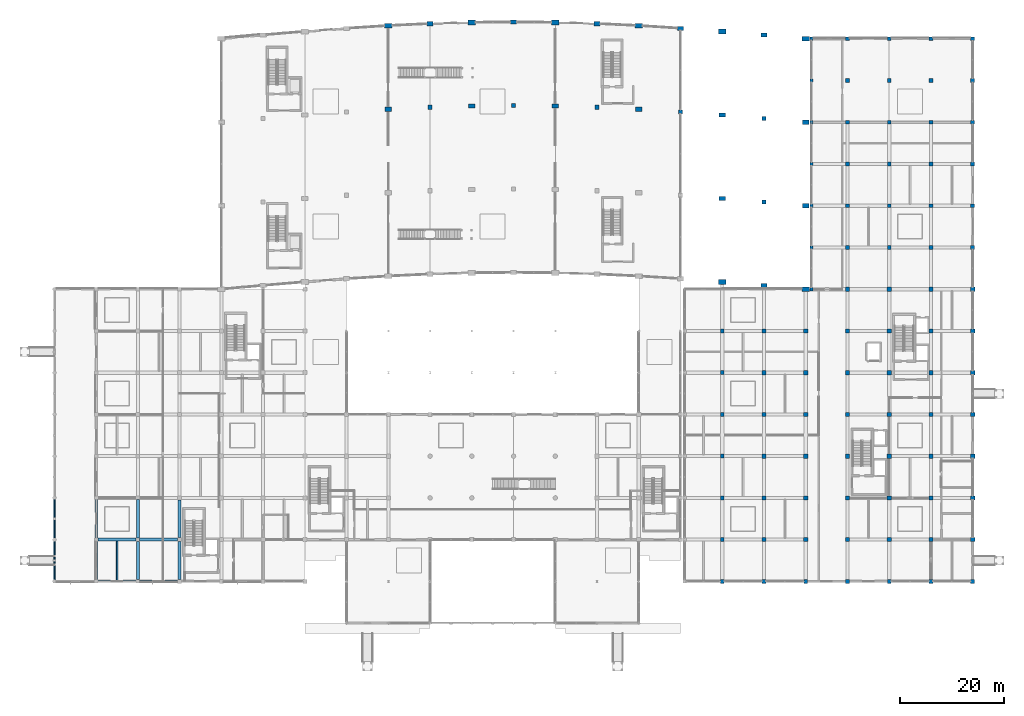
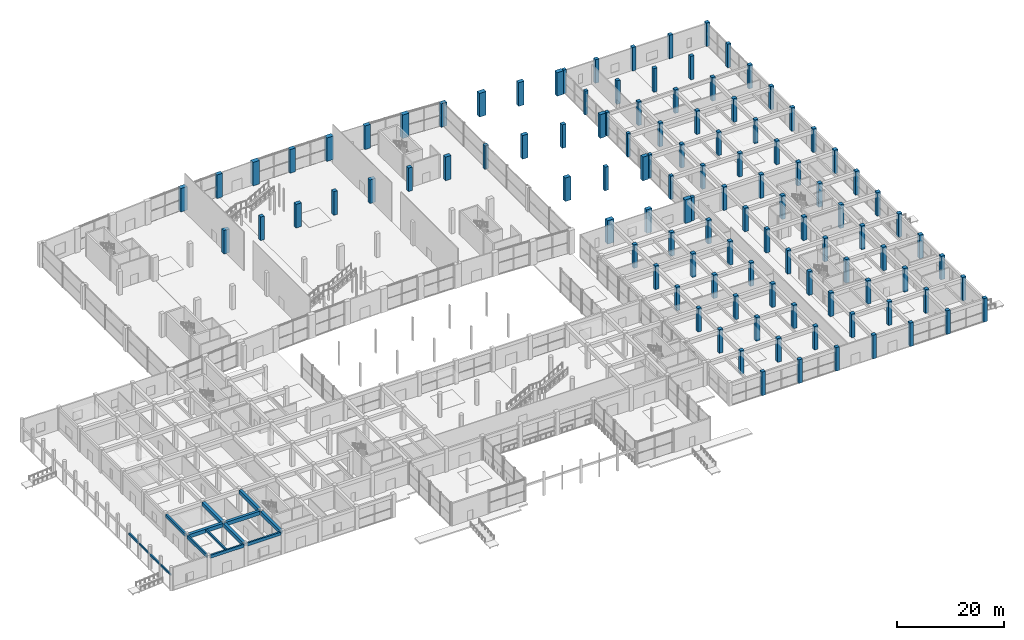
# One storey, part 14 of 86: 112 columns, 15 beams.
"""IFC4 building model written with IfcOpenShell, lengths in metres."""

from ifc_helpers import new_model, si_unit, direction, frame, origin, origin_2d, place, context, subcontext, project, spatial, rectangle, extrude, material, material_profile, profile_set, type_object, element, save


model = new_model("IFC4")

# Units and contexts
model_context = context("Model", 3, precision=1e-05, world=origin(), true_north=direction((0.0, 1.0)))
body_context = subcontext(model_context, "Body", "Model", "MODEL_VIEW")
ifc_project = project(units=[si_unit("LENGTHUNIT", "METRE"), si_unit("AREAUNIT", "SQUARE_METRE"), si_unit("VOLUMEUNIT", "CUBIC_METRE"), si_unit("PLANEANGLEUNIT", "RADIAN"), si_unit("MASSUNIT", "GRAM", prefix="KILO")], contexts=[model_context])

# Site, building, storey
site_placement = place(None, origin())
site = spatial("IfcSite", under=ifc_project, at=site_placement, CompositionType="ELEMENT")
building_placement = place(site_placement, origin())
building = spatial("IfcBuilding", under=site, at=building_placement, Name="Kenh Van Central Station", CompositionType="ELEMENT")
storey_placement = place(building_placement, origin())
storey = spatial("IfcBuildingStorey", under=building, at=storey_placement, Name="L00", CompositionType="ELEMENT", Elevation=0.0)

# Columns
ifc_material_1 = material(Name="Concrete C40/50", Category="concrete")
ifc_material_profile_1 = material_profile(ifc_material_1, rectangle(XDim=1.199951171875, YDim=0.800048828125, at=origin_2d()), Name="RC 1200x800")
ifc_profile_set_1 = profile_set([ifc_material_profile_1], Name="Concrete C40/50")
column_type_1 = type_object("IfcColumnType", Name="COL-PIER-1200x800", PredefinedType="COLUMN", material=ifc_profile_set_1)
for number, where, z_axis, x_axis, name in (
    (1, (64.0, 98.501953125, 0.0), (0.0, 0.0, 1.0), (1.0, 0.0, 0.0), "L00 column VP-04-2"),
    (2, (72.0, 114.883056640625, 0.0), (0.0, 0.0, 1.0), (1.0, 0.0, 0.0), "L00 column VPI-05-3"),
    (3, (80.0, 99.119873046875, 0.0), (0.0, 0.0, 1.0), (1.0, 0.0, 0.0), "L00 column VP-06-2"),
    (4, (88.0, 115.199951171875, 0.0), (0.0, 0.0, 1.0), (1.0, 0.0, 0.0), "L00 column VPI-07-3"),
    (5, (96.0, 99.119873046875, 0.0), (0.0, 0.0, 1.0), (1.0, 0.0, 0.0), "L00 column VP-08-2"),
    (6, (104.0, 114.883056640625, 0.0), (0.0, 0.0, 1.0), (1.0, 0.0, 0.0), "L00 column VPI-09-3"),
    (7, (112.0, 98.501953125, 0.0), (0.0, 0.0, 1.0), (1.0, 0.0, 0.0), "L00 column VP-10-2"),
    (8, (120.0, 113.9951171875, 0.0), (0.0, 0.0, 1.0), (1.0, 0.0, 0.0), "L00 column VPI-11-3"),
    (9, (128.0, 81.388427734375, 0.0), (0.0, 0.0, 1.0), (1.0, 0.0, 0.0), "L00 column VP-12-1"),
    (10, (128.0, 97.388427734375, 0.0), (0.0, 0.0, 1.0), (1.0, 0.0, 0.0), "L00 column VP-12-2"),
    (11, (136.0, 64.712158203125, 0.0), (0.0, 0.0, 1.0), (1.0, 0.0, 0.0), "L00 column VPI-13-0"),
    (12, (136.0, 112.712158203125, 0.0), (0.0, 0.0, 1.0), (1.0, 0.0, 0.0), "L00 column VPI-13-3"),
    (13, (144.0, 80.0, 0.0), (0.0, 0.0, 1.0), (1.0, 0.0, 0.0), "L00 column VP-14-1"),
    (14, (144.0, 96.0, 0.0), (0.0, 0.0, 1.0), (1.0, 0.0, 0.0), "L00 column VP-14-2"),
):
    element("IfcColumn", number, at=place(storey_placement, frame(where, z_axis=z_axis, x_axis=x_axis)), inside=storey, type_object=column_type_1, Name=name, PredefinedType="COLUMN", context=body_context, shape_type="SweptSolid", body=[
        extrude(rectangle(XDim=1.199951171875, YDim=0.800048828125, at=origin_2d()), origin(), (0.0, 0.0, 1.0), 5.39990234375),
    ])
ifc_material_profile_2 = material_profile(ifc_material_1, rectangle(XDim=1.39990234375, YDim=0.89990234375, at=origin_2d()), Name="RC 1400x900")
ifc_profile_set_2 = profile_set([ifc_material_profile_2], Name="Concrete C40/50")
column_type_2 = type_object("IfcColumnType", Name="COL-PIER-1400x900", PredefinedType="COLUMN", material=ifc_profile_set_2)
for number, where, z_axis, x_axis, name in (
    (15, (64.0, 114.501953125, 0.0), (0.0, 0.0, 1.0), (1.0, 0.0, 0.0), "L00 column VP-04-3"),
    (16, (80.0, 115.119873046875, 0.0), (0.0, 0.0, 1.0), (1.0, 0.0, 0.0), "L00 column VP-06-3"),
    (17, (96.0, 115.119873046875, 0.0), (0.0, 0.0, 1.0), (1.0, 0.0, 0.0), "L00 column VP-08-3"),
    (18, (112.0, 114.501953125, 0.0), (0.0, 0.0, 1.0), (1.0, 0.0, 0.0), "L00 column VP-10-3"),
    (19, (128.0, 65.388427734375, 0.0), (0.0, 0.0, 1.0), (1.0, 0.0, 0.0), "L00 column VP-12-0"),
    (20, (128.0, 113.388427734375, 0.0), (0.0, 0.0, 1.0), (1.0, 0.0, 0.0), "L00 column VP-12-3"),
    (21, (144.0, 64.0, 0.0), (0.0, 0.0, 1.0), (1.0, 0.0, 0.0), "L00 column VP-14-0"),
    (22, (144.0, 112.0, 0.0), (0.0, 0.0, 1.0), (1.0, 0.0, 0.0), "L00 column VP-14-3"),
):
    element("IfcColumn", number, at=place(storey_placement, frame(where, z_axis=z_axis, x_axis=x_axis)), inside=storey, type_object=column_type_2, Name=name, PredefinedType="COLUMN", context=body_context, shape_type="SweptSolid", body=[
        extrude(rectangle(XDim=1.39990234375, YDim=0.89990234375, at=origin_2d()), origin(), (0.0, 0.0, 1.0), 5.39990234375),
    ])
ifc_material_2 = material(Name="Concrete C35/45", Category="concrete")
ifc_material_profile_3 = material_profile(ifc_material_2, rectangle(XDim=0.64990234375, YDim=0.64990234375, at=origin_2d()), Name="RC 650x650")
ifc_profile_set_3 = profile_set([ifc_material_profile_3], Name="Concrete C35/45")
column_type_3 = type_object("IfcColumnType", Name="COL-RC-650x650", PredefinedType="COLUMN", material=ifc_profile_set_3)
for number, where, z_axis, x_axis, name in (
    (23, (145.10009765625, 64.0, 0.0), (0.0, 0.0, 1.0), (1.0, 0.0, 0.0), "L00 column CN-1451-064"),
    (24, (145.10009765625, 72.0, 0.0), (0.0, 0.0, 1.0), (1.0, 0.0, 0.0), "L00 column CN-1451-072"),
    (25, (145.10009765625, 80.0, 0.0), (0.0, 0.0, 1.0), (1.0, 0.0, 0.0), "L00 column CN-1451-080"),
    (26, (145.10009765625, 88.0, 0.0), (0.0, 0.0, 1.0), (1.0, 0.0, 0.0), "L00 column CN-1451-088"),
    (27, (145.10009765625, 96.0, 0.0), (0.0, 0.0, 1.0), (1.0, 0.0, 0.0), "L00 column CN-1451-096"),
    (28, (145.10009765625, 104.0, 0.0), (0.0, 0.0, 1.0), (1.0, 0.0, 0.0), "L00 column CN-1451-104"),
    (29, (145.10009765625, 112.0, 0.0), (0.0, 0.0, 1.0), (1.0, 0.0, 0.0), "L00 column CN-1451-112"),
):
    element("IfcColumn", number, at=place(storey_placement, frame(where, z_axis=z_axis, x_axis=x_axis)), inside=storey, type_object=column_type_3, Name=name, PredefinedType="COLUMN", context=body_context, shape_type="SweptSolid", body=[
        extrude(rectangle(XDim=0.64990234375, YDim=0.64990234375, at=origin_2d()), origin(), (0.0, 0.0, 1.0), 5.39990234375),
    ])
ifc_material_profile_4 = material_profile(ifc_material_1, rectangle(XDim=0.75, YDim=0.75, at=origin_2d()), Name="RC 750x750")
ifc_profile_set_4 = profile_set([ifc_material_profile_4], Name="Concrete C40/50")
column_type_4 = type_object("IfcColumnType", Name="COL-RC-750x750", PredefinedType="COLUMN", material=ifc_profile_set_4)
for number, where, z_axis, x_axis, name in (
    (30, (128.0, 8.0, 0.0), (0.0, 0.0, 1.0), (1.0, 0.0, 0.0), "L00 column CE-1280-008"),
    (31, (128.0, 16.0, 0.0), (0.0, 0.0, 1.0), (1.0, 0.0, 0.0), "L00 column CE-1280-016"),
    (32, (128.0, 24.0, 0.0), (0.0, 0.0, 1.0), (1.0, 0.0, 0.0), "L00 column CE-1280-024"),
    (33, (128.0, 32.0, 0.0), (0.0, 0.0, 1.0), (1.0, 0.0, 0.0), "L00 column CE-1280-032"),
    (34, (128.0, 40.0, 0.0), (0.0, 0.0, 1.0), (1.0, 0.0, 0.0), "L00 column CE-1280-040"),
    (35, (128.0, 48.0, 0.0), (0.0, 0.0, 1.0), (1.0, 0.0, 0.0), "L00 column CE-1280-048"),
    (36, (128.0, 56.0, 0.0), (0.0, 0.0, 1.0), (1.0, 0.0, 0.0), "L00 column CE-1280-056"),
    (37, (136.0, 8.0, 0.0), (0.0, 0.0, 1.0), (1.0, 0.0, 0.0), "L00 column CE-1360-008"),
    (38, (144.0, 8.0, 0.0), (0.0, 0.0, 1.0), (1.0, 0.0, 0.0), "L00 column CE-1440-008"),
    (39, (152.0, 8.0, 0.0), (0.0, 0.0, 1.0), (1.0, 0.0, 0.0), "L00 column CE-1520-008"),
    (40, (160.0, 8.0, 0.0), (0.0, 0.0, 1.0), (1.0, 0.0, 0.0), "L00 column CE-1600-008"),
    (41, (168.0, 8.0, 0.0), (0.0, 0.0, 1.0), (1.0, 0.0, 0.0), "L00 column CE-1680-008"),
    (42, (176.0, 8.0, 0.0), (0.0, 0.0, 1.0), (1.0, 0.0, 0.0), "L00 column CE-1760-008"),
    (43, (152.0, 72.0, 0.0), (0.0, 0.0, 1.0), (1.0, 0.0, 0.0), "L00 column CN-1520-072"),
    (44, (152.0, 80.0, 0.0), (0.0, 0.0, 1.0), (1.0, 0.0, 0.0), "L00 column CN-1520-080"),
    (45, (152.0, 88.0, 0.0), (0.0, 0.0, 1.0), (1.0, 0.0, 0.0), "L00 column CN-1520-088"),
    (46, (152.0, 96.0, 0.0), (0.0, 0.0, 1.0), (1.0, 0.0, 0.0), "L00 column CN-1520-096"),
    (47, (152.0, 104.0, 0.0), (0.0, 0.0, 1.0), (1.0, 0.0, 0.0), "L00 column CN-1520-104"),
    (48, (152.0, 112.0, 0.0), (0.0, 0.0, 1.0), (1.0, 0.0, 0.0), "L00 column CN-1520-112"),
    (49, (160.0, 72.0, 0.0), (0.0, 0.0, 1.0), (1.0, 0.0, 0.0), "L00 column CN-1600-072"),
    (50, (160.0, 80.0, 0.0), (0.0, 0.0, 1.0), (1.0, 0.0, 0.0), "L00 column CN-1600-080"),
    (51, (160.0, 88.0, 0.0), (0.0, 0.0, 1.0), (1.0, 0.0, 0.0), "L00 column CN-1600-088"),
    (52, (160.0, 96.0, 0.0), (0.0, 0.0, 1.0), (1.0, 0.0, 0.0), "L00 column CN-1600-096"),
    (53, (160.0, 104.0, 0.0), (0.0, 0.0, 1.0), (1.0, 0.0, 0.0), "L00 column CN-1600-104"),
    (54, (160.0, 112.0, 0.0), (0.0, 0.0, 1.0), (1.0, 0.0, 0.0), "L00 column CN-1600-112"),
    (55, (168.0, 72.0, 0.0), (0.0, 0.0, 1.0), (1.0, 0.0, 0.0), "L00 column CN-1680-072"),
    (56, (168.0, 80.0, 0.0), (0.0, 0.0, 1.0), (1.0, 0.0, 0.0), "L00 column CN-1680-080"),
    (57, (168.0, 88.0, 0.0), (0.0, 0.0, 1.0), (1.0, 0.0, 0.0), "L00 column CN-1680-088"),
    (58, (168.0, 96.0, 0.0), (0.0, 0.0, 1.0), (1.0, 0.0, 0.0), "L00 column CN-1680-096"),
    (59, (168.0, 104.0, 0.0), (0.0, 0.0, 1.0), (1.0, 0.0, 0.0), "L00 column CN-1680-104"),
    (60, (168.0, 112.0, 0.0), (0.0, 0.0, 1.0), (1.0, 0.0, 0.0), "L00 column CN-1680-112"),
    (61, (176.0, 72.0, 0.0), (0.0, 0.0, 1.0), (1.0, 0.0, 0.0), "L00 column CN-1760-072"),
    (62, (176.0, 80.0, 0.0), (0.0, 0.0, 1.0), (1.0, 0.0, 0.0), "L00 column CN-1760-080"),
    (63, (176.0, 88.0, 0.0), (0.0, 0.0, 1.0), (1.0, 0.0, 0.0), "L00 column CN-1760-088"),
    (64, (176.0, 96.0, 0.0), (0.0, 0.0, 1.0), (1.0, 0.0, 0.0), "L00 column CN-1760-096"),
    (65, (176.0, 104.0, 0.0), (0.0, 0.0, 1.0), (1.0, 0.0, 0.0), "L00 column CN-1760-104"),
    (66, (176.0, 112.0, 0.0), (0.0, 0.0, 1.0), (1.0, 0.0, 0.0), "L00 column CN-1760-112"),
):
    element("IfcColumn", number, at=place(storey_placement, frame(where, z_axis=z_axis, x_axis=x_axis)), inside=storey, type_object=column_type_4, Name=name, PredefinedType="COLUMN", context=body_context, shape_type="SweptSolid", body=[
        extrude(rectangle(XDim=0.75, YDim=0.75, at=origin_2d()), origin(), (0.0, 0.0, 1.0), 5.39990234375),
    ])
ifc_material_profile_5 = material_profile(ifc_material_1, rectangle(XDim=0.800048828125, YDim=0.800048828125, at=origin_2d()), Name="RC 800x800")
ifc_profile_set_5 = profile_set([ifc_material_profile_5], Name="Concrete C40/50")
column_type_5 = type_object("IfcColumnType", Name="COL-RC-800x800", PredefinedType="COLUMN", material=ifc_profile_set_5)
for number, where, z_axis, x_axis, name in (
    (67, (72.0, 98.883056640625, 0.0), (0.0, 0.0, 1.0), (1.0, 0.0, 0.0), "L00 column VP-05-2"),
    (68, (88.0, 99.199951171875, 0.0), (0.0, 0.0, 1.0), (1.0, 0.0, 0.0), "L00 column VP-07-2"),
    (69, (104.0, 98.883056640625, 0.0), (0.0, 0.0, 1.0), (1.0, 0.0, 0.0), "L00 column VP-09-2"),
    (70, (120.0, 97.9951171875, 0.0), (0.0, 0.0, 1.0), (1.0, 0.0, 0.0), "L00 column VP-11-2"),
    (71, (136.0, 80.712158203125, 0.0), (0.0, 0.0, 1.0), (1.0, 0.0, 0.0), "L00 column VP-13-1"),
    (72, (136.0, 96.712158203125, 0.0), (0.0, 0.0, 1.0), (1.0, 0.0, 0.0), "L00 column VP-13-2"),
    (73, (136.0, 16.0, 0.0), (0.0, 0.0, 1.0), (1.0, 0.0, 0.0), "L00 column CE-1360-016"),
    (74, (136.0, 24.0, 0.0), (0.0, 0.0, 1.0), (1.0, 0.0, 0.0), "L00 column CE-1360-024"),
    (75, (136.0, 32.0, 0.0), (0.0, 0.0, 1.0), (1.0, 0.0, 0.0), "L00 column CE-1360-032"),
    (76, (136.0, 40.0, 0.0), (0.0, 0.0, 1.0), (1.0, 0.0, 0.0), "L00 column CE-1360-040"),
    (77, (136.0, 48.0, 0.0), (0.0, 0.0, 1.0), (1.0, 0.0, 0.0), "L00 column CE-1360-048"),
    (78, (136.0, 56.0, 0.0), (0.0, 0.0, 1.0), (1.0, 0.0, 0.0), "L00 column CE-1360-056"),
    (79, (144.0, 16.0, 0.0), (0.0, 0.0, 1.0), (1.0, 0.0, 0.0), "L00 column CE-1440-016"),
    (80, (144.0, 24.0, 0.0), (0.0, 0.0, 1.0), (1.0, 0.0, 0.0), "L00 column CE-1440-024"),
    (81, (144.0, 32.0, 0.0), (0.0, 0.0, 1.0), (1.0, 0.0, 0.0), "L00 column CE-1440-032"),
    (82, (144.0, 40.0, 0.0), (0.0, 0.0, 1.0), (1.0, 0.0, 0.0), "L00 column CE-1440-040"),
    (83, (144.0, 48.0, 0.0), (0.0, 0.0, 1.0), (1.0, 0.0, 0.0), "L00 column CE-1440-048"),
    (84, (144.0, 56.0, 0.0), (0.0, 0.0, 1.0), (1.0, 0.0, 0.0), "L00 column CE-1440-056"),
    (85, (152.0, 16.0, 0.0), (0.0, 0.0, 1.0), (1.0, 0.0, 0.0), "L00 column CE-1520-016"),
    (86, (152.0, 24.0, 0.0), (0.0, 0.0, 1.0), (1.0, 0.0, 0.0), "L00 column CE-1520-024"),
    (87, (152.0, 32.0, 0.0), (0.0, 0.0, 1.0), (1.0, 0.0, 0.0), "L00 column CE-1520-032"),
    (88, (152.0, 40.0, 0.0), (0.0, 0.0, 1.0), (1.0, 0.0, 0.0), "L00 column CE-1520-040"),
    (89, (152.0, 48.0, 0.0), (0.0, 0.0, 1.0), (1.0, 0.0, 0.0), "L00 column CE-1520-048"),
    (90, (152.0, 56.0, 0.0), (0.0, 0.0, 1.0), (1.0, 0.0, 0.0), "L00 column CE-1520-056"),
    (91, (152.0, 64.0, 0.0), (0.0, 0.0, 1.0), (1.0, 0.0, 0.0), "L00 column CE-1520-064"),
    (92, (160.0, 16.0, 0.0), (0.0, 0.0, 1.0), (1.0, 0.0, 0.0), "L00 column CE-1600-016"),
    (93, (160.0, 24.0, 0.0), (0.0, 0.0, 1.0), (1.0, 0.0, 0.0), "L00 column CE-1600-024"),
    (94, (160.0, 32.0, 0.0), (0.0, 0.0, 1.0), (1.0, 0.0, 0.0), "L00 column CE-1600-032"),
    (95, (160.0, 40.0, 0.0), (0.0, 0.0, 1.0), (1.0, 0.0, 0.0), "L00 column CE-1600-040"),
    (96, (160.0, 48.0, 0.0), (0.0, 0.0, 1.0), (1.0, 0.0, 0.0), "L00 column CE-1600-048"),
    (97, (160.0, 56.0, 0.0), (0.0, 0.0, 1.0), (1.0, 0.0, 0.0), "L00 column CE-1600-056"),
    (98, (160.0, 64.0, 0.0), (0.0, 0.0, 1.0), (1.0, 0.0, 0.0), "L00 column CE-1600-064"),
    (99, (168.0, 16.0, 0.0), (0.0, 0.0, 1.0), (1.0, 0.0, 0.0), "L00 column CE-1680-016"),
    (100, (168.0, 24.0, 0.0), (0.0, 0.0, 1.0), (1.0, 0.0, 0.0), "L00 column CE-1680-024"),
    (101, (168.0, 32.0, 0.0), (0.0, 0.0, 1.0), (1.0, 0.0, 0.0), "L00 column CE-1680-032"),
    (102, (168.0, 40.0, 0.0), (0.0, 0.0, 1.0), (1.0, 0.0, 0.0), "L00 column CE-1680-040"),
    (103, (168.0, 48.0, 0.0), (0.0, 0.0, 1.0), (1.0, 0.0, 0.0), "L00 column CE-1680-048"),
    (104, (168.0, 56.0, 0.0), (0.0, 0.0, 1.0), (1.0, 0.0, 0.0), "L00 column CE-1680-056"),
    (105, (168.0, 64.0, 0.0), (0.0, 0.0, 1.0), (1.0, 0.0, 0.0), "L00 column CE-1680-064"),
    (106, (176.0, 16.0, 0.0), (0.0, 0.0, 1.0), (1.0, 0.0, 0.0), "L00 column CE-1760-016"),
    (107, (176.0, 24.0, 0.0), (0.0, 0.0, 1.0), (1.0, 0.0, 0.0), "L00 column CE-1760-024"),
    (108, (176.0, 32.0, 0.0), (0.0, 0.0, 1.0), (1.0, 0.0, 0.0), "L00 column CE-1760-032"),
    (109, (176.0, 40.0, 0.0), (0.0, 0.0, 1.0), (1.0, 0.0, 0.0), "L00 column CE-1760-040"),
    (110, (176.0, 48.0, 0.0), (0.0, 0.0, 1.0), (1.0, 0.0, 0.0), "L00 column CE-1760-048"),
    (111, (176.0, 56.0, 0.0), (0.0, 0.0, 1.0), (1.0, 0.0, 0.0), "L00 column CE-1760-056"),
    (112, (176.0, 64.0, 0.0), (0.0, 0.0, 1.0), (1.0, 0.0, 0.0), "L00 column CE-1760-064"),
):
    element("IfcColumn", number, at=place(storey_placement, frame(where, z_axis=z_axis, x_axis=x_axis)), inside=storey, type_object=column_type_5, Name=name, PredefinedType="COLUMN", context=body_context, shape_type="SweptSolid", body=[
        extrude(rectangle(XDim=0.800048828125, YDim=0.800048828125, at=origin_2d()), origin(), (0.0, 0.0, 1.0), 5.39990234375),
    ])

# Beams
ifc_material_profile_6 = material_profile(ifc_material_2, rectangle(XDim=0.60009765625, YDim=0.85009765625, at=origin_2d()), Name="RC 600x850")
ifc_profile_set_6 = profile_set([ifc_material_profile_6], Name="Concrete C35/45")
beam_type_1 = type_object("IfcBeamType", Name="BM-RC-600x850", PredefinedType="BEAM", material=ifc_profile_set_6)
beam_1_placement = place(storey_placement, frame((8.340087890625, 16.0, 4.695068359375), z_axis=(1.0, 0.0, 0.0), x_axis=(0.0, 1.0, 0.0)))
element("IfcBeam", 113, at=beam_1_placement, inside=storey, type_object=beam_type_1, Name="L00 beam 0360", PredefinedType="BEAM", context=body_context, shape_type="SweptSolid", body=[
    extrude(rectangle(XDim=0.60009765625, YDim=0.85009765625, at=origin_2d()), origin(), (0.0, 0.0, 1.0), 7.31982421875),
])
beam_2_placement = place(storey_placement, frame((16.340087890625, 16.0, 4.695068359375), z_axis=(1.0, 0.0, 0.0), x_axis=(0.0, 1.0, 0.0)))
element("IfcBeam", 114, at=beam_2_placement, inside=storey, type_object=beam_type_1, Name="L00 beam 0361", PredefinedType="BEAM", context=body_context, shape_type="SweptSolid", body=[
    extrude(rectangle(XDim=0.60009765625, YDim=0.85009765625, at=origin_2d()), origin(), (0.0, 0.0, 1.0), 7.294921875),
])
for number, where, z_axis, x_axis, name in (
    (115, (16.0, 8.340087890625, 4.695068359375), (0.0, 1.0, 0.0), (-1.0, 0.0, 0.0), "L00 beam 0473"),
    (116, (16.0, 16.340087890625, 4.695068359375), (0.0, 1.0, 0.0), (-1.0, 0.0, 0.0), "L00 beam 0474"),
):
    element("IfcBeam", number, at=place(storey_placement, frame(where, z_axis=z_axis, x_axis=x_axis)), inside=storey, type_object=beam_type_1, Name=name, PredefinedType="BEAM", context=body_context, shape_type="SweptSolid", body=[
        extrude(rectangle(XDim=0.60009765625, YDim=0.85009765625, at=origin_2d()), origin(), (0.0, 0.0, 1.0), 7.31982421875),
    ])
for number, where, z_axis, x_axis, name in (
    (117, (24.0, 8.364990234375, 4.695068359375), (0.0, 1.0, 0.0), (-1.0, 0.0, 0.0), "L00 beam 0480"),
    (118, (24.0, 16.364990234375, 4.695068359375), (0.0, 1.0, 0.0), (-1.0, 0.0, 0.0), "L00 beam 0481"),
):
    element("IfcBeam", number, at=place(storey_placement, frame(where, z_axis=z_axis, x_axis=x_axis)), inside=storey, type_object=beam_type_1, Name=name, PredefinedType="BEAM", context=body_context, shape_type="SweptSolid", body=[
        extrude(rectangle(XDim=0.60009765625, YDim=0.85009765625, at=origin_2d()), origin(), (0.0, 0.0, 1.0), 7.27001953125),
    ])
ifc_material_profile_7 = material_profile(ifc_material_2, rectangle(XDim=0.300048828125, YDim=0.5, at=origin_2d()), Name="RC 300x500")
ifc_profile_set_7 = profile_set([ifc_material_profile_7], Name="Concrete C35/45")
beam_type_2 = type_object("IfcBeamType", Name="JST-RC-300x500", PredefinedType="JOIST", material=ifc_profile_set_7)
beam_3_placement = place(storey_placement, frame((12.0, 8.175048828125, 4.8701171875), z_axis=(0.0, 1.0, 0.0), x_axis=(-1.0, 0.0, 0.0)))
element("IfcBeam", 119, at=beam_3_placement, inside=storey, type_object=beam_type_2, Name="L00 floor joist 0588", PredefinedType="JOIST", context=body_context, shape_type="SweptSolid", body=[
    extrude(rectangle(XDim=0.300048828125, YDim=0.5, at=origin_2d()), origin(), (0.0, 0.0, 1.0), 7.52490234375),
])
ifc_material_profile_8 = material_profile(ifc_material_2, rectangle(XDim=0.25, YDim=0.360107421875, at=origin_2d()), Name="RC 250x360")
ifc_profile_set_8 = profile_set([ifc_material_profile_8], Name="Concrete C35/45")
beam_type_3 = type_object("IfcBeamType", Name="LIN-RC-250x360", PredefinedType="LINTEL", material=ifc_profile_set_8)
for number, where, z_axis, x_axis, name in (
    (120, (0.0, 8.179931640625, 3.419921875), (0.0, 1.0, 0.0), (-1.0, 0.0, 0.0), "West arcade portal lintel 001"),
    (121, (0.0, 16.179931640625, 3.419921875), (0.0, 1.0, 0.0), (-1.0, 0.0, 0.0), "West arcade portal lintel 003"),
):
    element("IfcBeam", number, at=place(storey_placement, frame(where, z_axis=z_axis, x_axis=x_axis)), inside=storey, type_object=beam_type_3, Name=name, PredefinedType="LINTEL", context=body_context, shape_type="SweptSolid", body=[
        extrude(rectangle(XDim=0.25, YDim=0.360107421875, at=origin_2d()), origin(), (0.0, 0.0, 1.0), 3.64013671875),
    ])
ifc_material_profile_9 = material_profile(ifc_material_2, rectangle(XDim=0.300048828125, YDim=0.419921875, at=origin_2d()), Name="RC 300x420")
ifc_profile_set_9 = profile_set([ifc_material_profile_9], Name="Concrete C35/45")
beam_type_4 = type_object("IfcBeamType", Name="LIN-RC-300x420", PredefinedType="LINTEL", material=ifc_profile_set_9)
for number, where, z_axis, x_axis, name in (
    (122, (0.0, 12.179931640625, 3.389892578125), (0.0, 1.0, 0.0), (-1.0, 0.0, 0.0), "West arcade portal lintel 002"),
    (123, (0.0, 20.179931640625, 3.389892578125), (0.0, 1.0, 0.0), (-1.0, 0.0, 0.0), "West arcade portal lintel 004"),
):
    element("IfcBeam", number, at=place(storey_placement, frame(where, z_axis=z_axis, x_axis=x_axis)), inside=storey, type_object=beam_type_4, Name=name, PredefinedType="LINTEL", context=body_context, shape_type="SweptSolid", body=[
        extrude(rectangle(XDim=0.300048828125, YDim=0.419921875, at=origin_2d()), origin(), (0.0, 0.0, 1.0), 3.64013671875),
    ])
ifc_material_profile_10 = material_profile(ifc_material_2, rectangle(XDim=0.35009765625, YDim=0.699951171875, at=origin_2d()), Name="RC 350x700")
ifc_profile_set_10 = profile_set([ifc_material_profile_10], Name="Concrete C35/45")
beam_type_5 = type_object("IfcBeamType", Name="SPD-RC-350x700", PredefinedType="SPANDREL", material=ifc_profile_set_10)
beam_4_placement = place(storey_placement, frame((8.340087890625, 8.0, 4.77001953125), z_axis=(1.0, 0.0, 0.0), x_axis=(0.0, 1.0, 0.0)))
element("IfcBeam", 124, at=beam_4_placement, inside=storey, type_object=beam_type_5, Name="L00 beam 0349", PredefinedType="SPANDREL", context=body_context, shape_type="SweptSolid", body=[
    extrude(rectangle(XDim=0.35009765625, YDim=0.699951171875, at=origin_2d()), origin(), (0.0, 0.0, 1.0), 7.31982421875),
])
beam_5_placement = place(storey_placement, frame((16.340087890625, 8.0, 4.77001953125), z_axis=(1.0, 0.0, 0.0), x_axis=(0.0, 1.0, 0.0)))
element("IfcBeam", 125, at=beam_5_placement, inside=storey, type_object=beam_type_5, Name="L00 beam 0350", PredefinedType="SPANDREL", context=body_context, shape_type="SweptSolid", body=[
    extrude(rectangle(XDim=0.35009765625, YDim=0.699951171875, at=origin_2d()), origin(), (0.0, 0.0, 1.0), 7.294921875),
])
for number, where, z_axis, x_axis, name in (
    (126, (8.0, 8.340087890625, 4.77001953125), (0.0, 1.0, 0.0), (-1.0, 0.0, 0.0), "L00 beam 0466"),
    (127, (8.0, 16.340087890625, 4.77001953125), (0.0, 1.0, 0.0), (-1.0, 0.0, 0.0), "L00 beam 0467"),
):
    element("IfcBeam", number, at=place(storey_placement, frame(where, z_axis=z_axis, x_axis=x_axis)), inside=storey, type_object=beam_type_5, Name=name, PredefinedType="SPANDREL", context=body_context, shape_type="SweptSolid", body=[
        extrude(rectangle(XDim=0.35009765625, YDim=0.699951171875, at=origin_2d()), origin(), (0.0, 0.0, 1.0), 7.31982421875),
    ])

save(model, "model.ifc")
